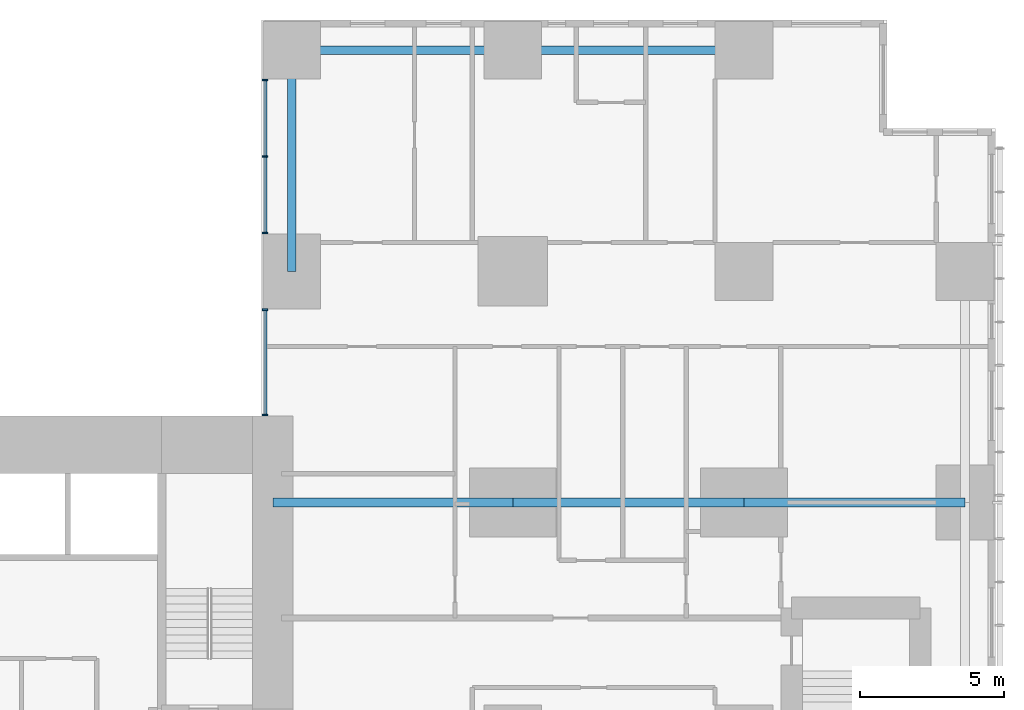
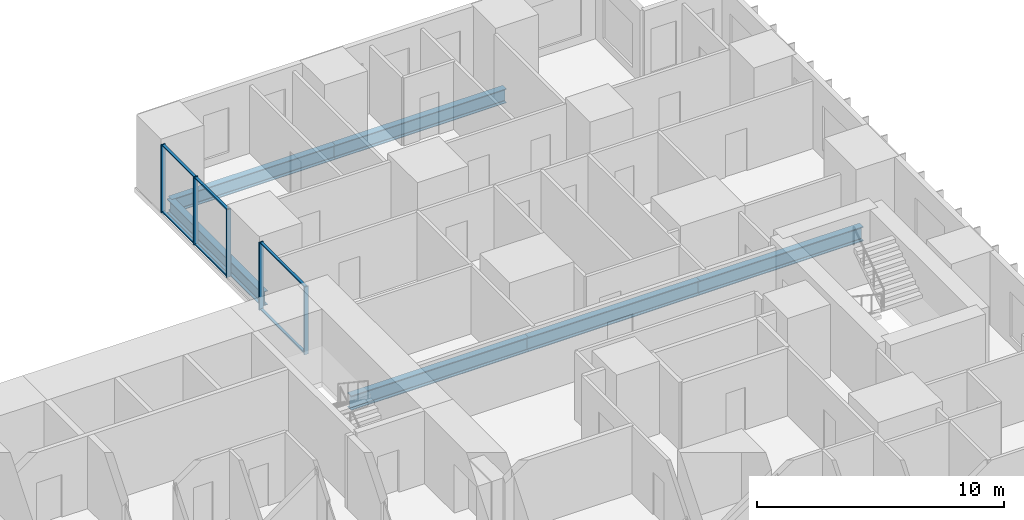
# One storey, part 5 of 20: 11 members, 6 beams, 2 elements without a shape of their own.
"""IFC4 building model written with IfcOpenShell, lengths in metres."""

import ifcopenshell
import ifcopenshell.guid

model = None  # the IFC model being written
_history = None  # IfcOwnerHistory: only IFC2X3 demands one
_inside = {}  # id of a spatial element -> (the spatial element, [elements in it])
_under = {}  # id of a project, library or spatial element -> (it, [spatial elements below it])
_declared = {}  # id of a project -> (the project, [libraries it declares])
_typed = {}  # id of a type object -> (the type object, [elements of that type])
_made_of = {}  # id of a material, layer set ... -> (it, [elements and type objects made of it])


def new_model(schema):
    """Start an empty IFC model of exactly this schema.

    Asked for "IFC4X3", IfcOpenShell would pick the latest addendum, in which some entities
    have other attributes; the version numbers below select the first issue.
    IFC2X3 requires an IfcOwnerHistory on every rooted entity: one is made here for all.
    """
    global model, _history
    if schema == "IFC4X3":
        model = ifcopenshell.file(schema_version=(4, 3, 0, 0))
    else:
        model = ifcopenshell.file(schema=schema)
    _inside.clear()
    _under.clear()
    _declared.clear()
    _typed.clear()
    _made_of.clear()
    _history = None
    if model.schema == "IFC2X3":
        org = make("IfcOrganization", Name="unknown")
        user = make(
            "IfcPersonAndOrganization",
            ThePerson=make("IfcPerson", FamilyName="unknown"),
            TheOrganization=org,
        )
        app = make(
            "IfcApplication",
            ApplicationDeveloper=org,
            Version="unknown",
            ApplicationFullName="unknown",
            ApplicationIdentifier="unknown",
        )
        _history = make(
            "IfcOwnerHistory",
            OwningUser=user,
            OwningApplication=app,
            ChangeAction="ADDED",
            CreationDate=0,
        )
    return model


def make(cls, **values):
    """One entity of the class cls with the attributes given. An attribute that is None is left unset."""
    return model.create_entity(
        cls, **{name: value for name, value in values.items() if value is not None}
    )


def rooted(cls, **values):
    """An entity with a GlobalId (a new one), such as an element, a storey or a relation."""
    return make(cls, GlobalId=ifcopenshell.guid.new(), OwnerHistory=_history, **values)


def si_unit(unit_type, name, prefix=None):
    """IfcSIUnit, for example si_unit("LENGTHUNIT", "METRE", prefix="MILLI")."""
    return make("IfcSIUnit", UnitType=unit_type, Prefix=prefix, Name=name)


def assignment(units):
    """IfcUnitAssignment: the units of a project."""
    return None if units is None else make("IfcUnitAssignment", Units=units)


def point(xyz):
    """IfcCartesianPoint."""
    return None if xyz is None else make("IfcCartesianPoint", Coordinates=xyz)


def direction(xyz):
    """IfcDirection."""
    return None if xyz is None else make("IfcDirection", DirectionRatios=xyz)


def frame(location, z_axis=None, x_axis=None):
    """IfcAxis2Placement3D, a coordinate frame: its origin and axes. An axis left out is left unset."""
    return make(
        "IfcAxis2Placement3D",
        Location=point(location),
        Axis=direction(z_axis),
        RefDirection=direction(x_axis),
    )


def frame_2d(location, x_axis=None):
    """IfcAxis2Placement2D, a coordinate frame in the plane: its origin and x axis."""
    return make(
        "IfcAxis2Placement2D", Location=point(location), RefDirection=direction(x_axis)
    )


def origin():
    """The frame at (0, 0, 0) with its axes left unset."""
    return frame((0.0, 0.0, 0.0))


def origin_2d():
    """The frame at (0, 0) in the plane with its x axis left unset."""
    return frame_2d((0.0, 0.0))


def place(relative_to, where):
    """IfcLocalPlacement: puts the frame where relative to a parent placement (None: the world)."""
    return make(
        "IfcLocalPlacement", PlacementRelTo=relative_to, RelativePlacement=where
    )


def context(
    kind, dimensions, precision=None, world=None, true_north=None, identifier=None
):
    """IfcGeometricRepresentationContext, for example the 3D "Model" context."""
    return make(
        "IfcGeometricRepresentationContext",
        ContextIdentifier=identifier,
        ContextType=kind,
        CoordinateSpaceDimension=dimensions,
        Precision=precision,
        WorldCoordinateSystem=world,
        TrueNorth=true_north,
    )


def subcontext(parent, identifier, kind, view, scale=None):
    """IfcGeometricRepresentationSubContext, for example "Body" below "Model"."""
    return make(
        "IfcGeometricRepresentationSubContext",
        ContextIdentifier=identifier,
        ContextType=kind,
        ParentContext=parent,
        TargetScale=scale,
        TargetView=view,
    )


def project(units=None, contexts=None):
    """IfcProject with its units and contexts."""
    return rooted(
        "IfcProject",
        Name="project",
        RepresentationContexts=contexts,
        UnitsInContext=assignment(units),
    )


def spatial(cls, under=None, at=None, **own):
    """A site, building, storey or space (cls), placed at a placement, below another one or the project."""
    s = rooted(cls, ObjectPlacement=at, **own)
    if under is not None:
        _under.setdefault(under.id(), (under, []))[1].append(s)
    return s


def profile(cls, at=None, kind="AREA", **sizes):
    """A parametric profile (cls). Its sizes go by their IFC names, for example OverallWidth=200.0."""
    return make(cls, ProfileType=kind, Position=at, **sizes)


def rectangle(**sizes):
    """IfcRectangleProfileDef."""
    return profile("IfcRectangleProfileDef", **sizes)


def i_section(**sizes):
    """IfcIShapeProfileDef."""
    return profile("IfcIShapeProfileDef", **sizes)


def extrude(swept, where, along, depth):
    """IfcExtrudedAreaSolid: the profile swept, set in the frame where, extruded along a direction by depth."""
    return make(
        "IfcExtrudedAreaSolid",
        SweptArea=swept,
        Position=where,
        ExtrudedDirection=direction(along),
        Depth=depth,
    )


def shape(context_of_items, identifier, shape_type, items):
    """IfcShapeRepresentation: the items that make up one representation, for example the "Body"."""
    return make(
        "IfcShapeRepresentation",
        ContextOfItems=context_of_items,
        RepresentationIdentifier=identifier,
        RepresentationType=shape_type,
        Items=items,
    )


def material(Name=None, Category=None):
    """IfcMaterial."""
    return make("IfcMaterial", Name=Name, Category=Category)


def layer(
    of_material, thickness, ventilated=None, Name=None, Category=None, Priority=None
):
    """IfcMaterialLayer: one layer of a wall or slab, of a material (None: an air gap)."""
    return make(
        "IfcMaterialLayer",
        Material=of_material,
        LayerThickness=thickness,
        IsVentilated=ventilated,
        Name=Name,
        Category=Category,
        Priority=Priority,
    )


def layer_set(layers, Name=None):
    """IfcMaterialLayerSet."""
    return make("IfcMaterialLayerSet", MaterialLayers=layers, LayerSetName=Name)


def material_profile(
    of_material, cross_section, Name=None, Category=None, Priority=None
):
    """IfcMaterialProfile: a cross section and its material."""
    return make(
        "IfcMaterialProfile",
        Name=Name,
        Material=of_material,
        Profile=cross_section,
        Priority=Priority,
        Category=Category,
    )


def profile_set(profiles, Name=None, composite=None):
    """IfcMaterialProfileSet."""
    return make(
        "IfcMaterialProfileSet",
        Name=Name,
        MaterialProfiles=profiles,
        CompositeProfile=composite,
    )


def made_of(thing, what):
    """Note that an element or type object is made of a material, layer set ...; save() writes the relation."""
    if what is not None:
        _made_of.setdefault(what.id(), (what, []))[1].append(thing)
    return thing


def type_object(cls, material=None, **own):
    """A type object (cls), such as IfcWallType, which elements share."""
    return made_of(rooted(cls, **own), material)


def element(
    cls,
    number,
    at=None,
    inside=None,
    cuts=None,
    type_object=None,
    material=None,
    context=None,
    identifier="Body",
    shape_type=None,
    held_by="IfcProductDefinitionShape",
    body=None,
    shapes=None,
    **own,
):
    """One element of the class cls, such as IfcWall. Its Tag is "e" and its number.

    at: its placement. inside: the storey or other place that contains it. cuts: it is an
    opening in that element (IfcRelVoidsElement). A single representation is given by context,
    identifier, shape_type and body (its items); several are given by shapes. held_by: the class
    of the entity that holds the representations. save() writes the other relations.
    """
    e = rooted(cls, Tag="e%d" % number, ObjectPlacement=at, **own)
    if body is not None:
        shapes = [shape(context, identifier, shape_type, body)]
    if shapes is not None:
        e.Representation = make(held_by, Representations=shapes)
    if inside is not None:
        _inside.setdefault(inside.id(), (inside, []))[1].append(e)
    if cuts is not None:
        rooted(
            "IfcRelVoidsElement", RelatingBuildingElement=cuts, RelatedOpeningElement=e
        )
    if type_object is not None:
        _typed.setdefault(type_object.id(), (type_object, []))[1].append(e)
    return made_of(e, material)


def aggregate(whole, parts):
    """IfcRelAggregates: a whole, such as a stair, and the parts it consists of."""
    return rooted("IfcRelAggregates", RelatingObject=whole, RelatedObjects=parts)


def save(model, path):
    """Write the relations noted so far, then the file.

    IfcRelAggregates (storeys below a building ...), IfcRelContainedInSpatialStructure (elements
    in a storey), IfcRelDefinesByType, IfcRelAssociatesMaterial and IfcRelDeclares: one each for
    every whole, place, type object, material and project.
    """
    for whole, parts in _under.values():
        aggregate(whole, parts)
    for where, things in _inside.values():
        rooted(
            "IfcRelContainedInSpatialStructure",
            RelatedElements=things,
            RelatingStructure=where,
        )
    for kind, things in _typed.values():
        rooted("IfcRelDefinesByType", RelatedObjects=things, RelatingType=kind)
    for what, things in _made_of.values():
        rooted("IfcRelAssociatesMaterial", RelatedObjects=things, RelatingMaterial=what)
    for by, libraries in _declared.values():
        rooted("IfcRelDeclares", RelatingContext=by, RelatedDefinitions=libraries)
    model.write(path)


model = new_model("IFC4")

# Units and contexts
model_context = context("Model", 3, precision=1e-05, world=origin(), true_north=direction((0.0, 1.0)))
body_context = subcontext(model_context, "Body", "Model", "MODEL_VIEW")
ifc_project = project(units=[si_unit("LENGTHUNIT", "METRE"), si_unit("AREAUNIT", "SQUARE_METRE"), si_unit("VOLUMEUNIT", "CUBIC_METRE"), si_unit("PLANEANGLEUNIT", "RADIAN"), si_unit("MASSUNIT", "GRAM", prefix="KILO")], contexts=[model_context])

# Site, building, storey
site_placement = place(None, origin())
site = spatial("IfcSite", under=ifc_project, at=site_placement, CompositionType="ELEMENT")
building_placement = place(site_placement, origin())
building = spatial("IfcBuilding", under=site, at=building_placement, Name="Cleftline Residences", CompositionType="ELEMENT")
storey_placement = place(building_placement, frame((0.0, 0.0, 110.60009765625)))
storey = spatial("IfcBuildingStorey", under=building, at=storey_placement, Name="L28", CompositionType="ELEMENT", Elevation=110.60009765625)

# Beams
ifc_material_1 = material(Name="Steel S355", Category="steel")
ifc_material_profile_1 = material_profile(ifc_material_1, i_section(OverallWidth=0.300048828125, OverallDepth=0.699951171875, WebThickness=0.01708984375, FlangeThickness=0.031982421875, FilletRadius=0.027099609375, at=origin_2d()))
ifc_profile_set_1 = profile_set([ifc_material_profile_1], Name="Steel S355")
beam_type_1 = type_object("IfcBeamType", Name="BEAM HEB 700", PredefinedType="BEAM", material=ifc_profile_set_1)
beam_1_placement = place(storey_placement, frame((58.0, 47.64990234375, -0.60009765625), z_axis=(-1.0, 0.0, 0.0), x_axis=(0.0, -1.0, 0.0)))
element("IfcBeam", 1, at=beam_1_placement, inside=storey, type_object=beam_type_1, Name="Edge beam", PredefinedType="BEAM", context=body_context, shape_type="SweptSolid", body=[
    extrude(i_section(OverallWidth=0.300048828125, OverallDepth=0.699951171875, WebThickness=0.01708984375, FlangeThickness=0.031982421875, FilletRadius=0.027099609375, at=origin_2d()), origin(), (0.0, 0.0, 1.0), 8.0),
])
for number, where, z_axis, x_axis, name in (
    (2, (50.0, 47.64990234375, -0.60009765625), (-1.0, 0.0, 0.0), (0.0, -1.0, 0.0), "Edge beam"),
    (3, (42.35009765625, 47.64990234375, -0.60009765625), (0.0, -1.0, 0.0), (1.0, 0.0, 0.0), "Edge beam"),
):
    element("IfcBeam", number, at=place(storey_placement, frame(where, z_axis=z_axis, x_axis=x_axis)), inside=storey, type_object=beam_type_1, Name=name, PredefinedType="BEAM", context=body_context, shape_type="SweptSolid", body=[
        extrude(i_section(OverallWidth=0.300048828125, OverallDepth=0.699951171875, WebThickness=0.01708984375, FlangeThickness=0.031982421875, FilletRadius=0.027099609375, at=origin_2d()), origin(), (0.0, 0.0, 1.0), 7.64990234375),
    ])
ifc_material_2 = material(Name="Steel S355", Category="steel")
ifc_material_profile_2 = material_profile(ifc_material_2, i_section(OverallWidth=0.303955078125, OverallDepth=0.716064453125, WebThickness=0.02099609375, FlangeThickness=0.0400390625, FilletRadius=0.027099609375, at=origin_2d()))
ifc_profile_set_2 = profile_set([ifc_material_profile_2], Name="Steel S355")
beam_type_2 = type_object("IfcBeamType", Name="BEAM HEM 700", PredefinedType="BEAM", material=ifc_profile_set_2)
beam_2_placement = place(storey_placement, frame((65.64990234375, 32.0, -0.608154296875), z_axis=(-1.0, 0.0, 0.0), x_axis=(0.0, -1.0, 0.0)))
element("IfcBeam", 4, at=beam_2_placement, inside=storey, type_object=beam_type_2, Name="Band beam", PredefinedType="BEAM", context=body_context, shape_type="SweptSolid", body=[
    extrude(i_section(OverallWidth=0.303955078125, OverallDepth=0.716064453125, WebThickness=0.02099609375, FlangeThickness=0.0400390625, FilletRadius=0.027099609375, at=origin_2d()), origin(), (0.0, 0.0, 1.0), 7.64990234375),
])
beam_3_placement = place(storey_placement, frame((58.0, 32.0, -0.608154296875), z_axis=(-1.0, 0.0, 0.0), x_axis=(0.0, -1.0, 0.0)))
element("IfcBeam", 5, at=beam_3_placement, inside=storey, type_object=beam_type_2, Name="Band beam", PredefinedType="BEAM", context=body_context, shape_type="SweptSolid", body=[
    extrude(i_section(OverallWidth=0.303955078125, OverallDepth=0.716064453125, WebThickness=0.02099609375, FlangeThickness=0.0400390625, FilletRadius=0.027099609375, at=origin_2d()), origin(), (0.0, 0.0, 1.0), 8.0),
])
beam_4_placement = place(storey_placement, frame((50.0, 32.0, -0.608154296875), z_axis=(-1.0, 0.0, 0.0), x_axis=(0.0, -1.0, 0.0)))
element("IfcBeam", 6, at=beam_4_placement, inside=storey, type_object=beam_type_2, Name="Band beam", PredefinedType="BEAM", context=body_context, shape_type="SweptSolid", body=[
    extrude(i_section(OverallWidth=0.303955078125, OverallDepth=0.716064453125, WebThickness=0.02099609375, FlangeThickness=0.0400390625, FilletRadius=0.027099609375, at=origin_2d()), origin(), (0.0, 0.0, 1.0), 8.300048828125),
])

# Curtain wall, members
ifc_material_3 = material(Name="Aluminium framed curtain wall", Category="aluminium")
ifc_layer = layer(ifc_material_3, 0.199951171875)
ifc_layer_set = layer_set([ifc_layer], Name="CW1 CLEFT GLAZING")
curtain_wall_type = type_object("IfcCurtainWallType", Name="CW1 CLEFT GLAZING", PredefinedType="NOTDEFINED", material=ifc_layer_set)
curtain_wall_1_placement = place(storey_placement, origin())
curtain_wall_1 = element("IfcCurtainWall", 7, at=curtain_wall_1_placement, inside=storey, type_object=curtain_wall_type, Name="Curtain wall CW1", PredefinedType="NOTDEFINED")
ifc_material_4 = material(Name="Aluminium mullion", Category="aluminium")
ifc_material_profile_3 = material_profile(ifc_material_4, rectangle(XDim=0.199951171875, YDim=0.06005859375, at=origin_2d()))
ifc_profile_set_3 = profile_set([ifc_material_profile_3], Name="Aluminium mullion")
member_type_1 = type_object("IfcMemberType", Name="CW1 MULLION", PredefinedType="MULLION", material=ifc_profile_set_3)
member_1_placement = place(storey_placement, frame((41.425048828125, 46.6201171875, 0.0), z_axis=(0.0, 0.0, 1.0), x_axis=(1.0, 0.0, 0.0)))
member_1 = element("IfcMember", 8, at=member_1_placement, type_object=member_type_1, Name="CW1 mullion 1", PredefinedType="MULLION", context=body_context, shape_type="SweptSolid", body=[
    extrude(rectangle(XDim=0.199951171875, YDim=0.06005859375, at=origin_2d()), origin(), (0.0, 0.0, 1.0), 3.349853515625),
])
member_2_placement = place(storey_placement, frame((41.425048828125, 43.97509765625, 0.0), z_axis=(0.0, 0.0, 1.0), x_axis=(1.0, 0.0, 0.0)))
member_2 = element("IfcMember", 9, at=member_2_placement, type_object=member_type_1, Name="CW1 mullion 2", PredefinedType="MULLION", context=body_context, shape_type="SweptSolid", body=[
    extrude(rectangle(XDim=0.199951171875, YDim=0.06005859375, at=origin_2d()), origin(), (0.0, 0.0, 1.0), 3.349853515625),
])
member_3_placement = place(storey_placement, frame((41.425048828125, 41.330078125, 0.0), z_axis=(0.0, 0.0, 1.0), x_axis=(1.0, 0.0, 0.0)))
member_3 = element("IfcMember", 10, at=member_3_placement, type_object=member_type_1, Name="CW1 mullion 3", PredefinedType="MULLION", context=body_context, shape_type="SweptSolid", body=[
    extrude(rectangle(XDim=0.199951171875, YDim=0.06005859375, at=origin_2d()), origin(), (0.0, 0.0, 1.0), 3.349853515625),
])

curtain_wall_2_placement = place(storey_placement, origin())
curtain_wall_2 = element("IfcCurtainWall", 11, at=curtain_wall_2_placement, inside=storey, type_object=curtain_wall_type, Name="Curtain wall CW1", PredefinedType="NOTDEFINED")
member_4_placement = place(storey_placement, frame((41.425048828125, 38.669921875, 0.0), z_axis=(0.0, 0.0, 1.0), x_axis=(1.0, 0.0, 0.0)))
member_4 = element("IfcMember", 12, at=member_4_placement, type_object=member_type_1, Name="CW1 mullion 1", PredefinedType="MULLION", context=body_context, shape_type="SweptSolid", body=[
    extrude(rectangle(XDim=0.199951171875, YDim=0.06005859375, at=origin_2d()), origin(), (0.0, 0.0, 1.0), 3.349853515625),
])
member_5_placement = place(storey_placement, frame((41.425048828125, 35.030029296875, 0.0), z_axis=(0.0, 0.0, 1.0), x_axis=(1.0, 0.0, 0.0)))
member_5 = element("IfcMember", 13, at=member_5_placement, type_object=member_type_1, Name="CW1 mullion 2", PredefinedType="MULLION", context=body_context, shape_type="SweptSolid", body=[
    extrude(rectangle(XDim=0.199951171875, YDim=0.06005859375, at=origin_2d()), origin(), (0.0, 0.0, 1.0), 3.349853515625),
])

# Member
ifc_material_5 = material(Name="Aluminium transom", Category="aluminium")
ifc_material_profile_4 = material_profile(ifc_material_5, rectangle(XDim=0.1201171875, YDim=0.06005859375, at=origin_2d()))
ifc_profile_set_4 = profile_set([ifc_material_profile_4], Name="Aluminium transom")
member_type_2 = type_object("IfcMemberType", Name="CW1 TRANSOM", PredefinedType="USERDEFINED", material=ifc_profile_set_4)
member_6_placement = place(storey_placement, frame((41.425048828125, 46.590087890625, 0.02978515625), z_axis=(0.0, -1.0, 0.0), x_axis=(1.0, 0.0, 0.0)))
member_6 = element("IfcMember", 14, at=member_6_placement, type_object=member_type_2, Name="CW1 transom 1.1", ObjectType="TRANSOM", PredefinedType="USERDEFINED", context=body_context, shape_type="SweptSolid", body=[
    extrude(rectangle(XDim=0.1201171875, YDim=0.06005859375, at=origin_2d()), origin(), (0.0, 0.0, 1.0), 2.585205078125),
])

member_7_placement = place(storey_placement, frame((41.425048828125, 46.590087890625, 3.31982421875), z_axis=(0.0, -1.0, 0.0), x_axis=(1.0, 0.0, 0.0)))
member_7 = element("IfcMember", 15, at=member_7_placement, type_object=member_type_2, Name="CW1 transom 1.2", ObjectType="TRANSOM", PredefinedType="USERDEFINED", context=body_context, shape_type="SweptSolid", body=[
    extrude(rectangle(XDim=0.1201171875, YDim=0.06005859375, at=origin_2d()), origin(), (0.0, 0.0, 1.0), 2.585205078125),
])

member_8_placement = place(storey_placement, frame((41.425048828125, 43.945068359375, 0.02978515625), z_axis=(0.0, -1.0, 0.0), x_axis=(1.0, 0.0, 0.0)))
member_8 = element("IfcMember", 16, at=member_8_placement, type_object=member_type_2, Name="CW1 transom 2.1", ObjectType="TRANSOM", PredefinedType="USERDEFINED", context=body_context, shape_type="SweptSolid", body=[
    extrude(rectangle(XDim=0.1201171875, YDim=0.06005859375, at=origin_2d()), origin(), (0.0, 0.0, 1.0), 2.5849609375),
])

member_9_placement = place(storey_placement, frame((41.425048828125, 43.945068359375, 3.31982421875), z_axis=(0.0, -1.0, 0.0), x_axis=(1.0, 0.0, 0.0)))
member_9 = element("IfcMember", 17, at=member_9_placement, type_object=member_type_2, Name="CW1 transom 2.2", ObjectType="TRANSOM", PredefinedType="USERDEFINED", context=body_context, shape_type="SweptSolid", body=[
    extrude(rectangle(XDim=0.1201171875, YDim=0.06005859375, at=origin_2d()), origin(), (0.0, 0.0, 1.0), 2.5849609375),
])

aggregate(curtain_wall_1, [member_1, member_2, member_3, member_6, member_7, member_8, member_9])

member_10_placement = place(storey_placement, frame((41.425048828125, 38.639892578125, 0.02978515625), z_axis=(0.0, -1.0, 0.0), x_axis=(1.0, 0.0, 0.0)))
member_10 = element("IfcMember", 18, at=member_10_placement, type_object=member_type_2, Name="CW1 transom 1.1", ObjectType="TRANSOM", PredefinedType="USERDEFINED", context=body_context, shape_type="SweptSolid", body=[
    extrude(rectangle(XDim=0.1201171875, YDim=0.06005859375, at=origin_2d()), origin(), (0.0, 0.0, 1.0), 3.579833984375),
])

member_11_placement = place(storey_placement, frame((41.425048828125, 38.639892578125, 3.31982421875), z_axis=(0.0, -1.0, 0.0), x_axis=(1.0, 0.0, 0.0)))
member_11 = element("IfcMember", 19, at=member_11_placement, type_object=member_type_2, Name="CW1 transom 1.2", ObjectType="TRANSOM", PredefinedType="USERDEFINED", context=body_context, shape_type="SweptSolid", body=[
    extrude(rectangle(XDim=0.1201171875, YDim=0.06005859375, at=origin_2d()), origin(), (0.0, 0.0, 1.0), 3.579833984375),
])

aggregate(curtain_wall_2, [member_4, member_5, member_10, member_11])

save(model, "model.ifc")
